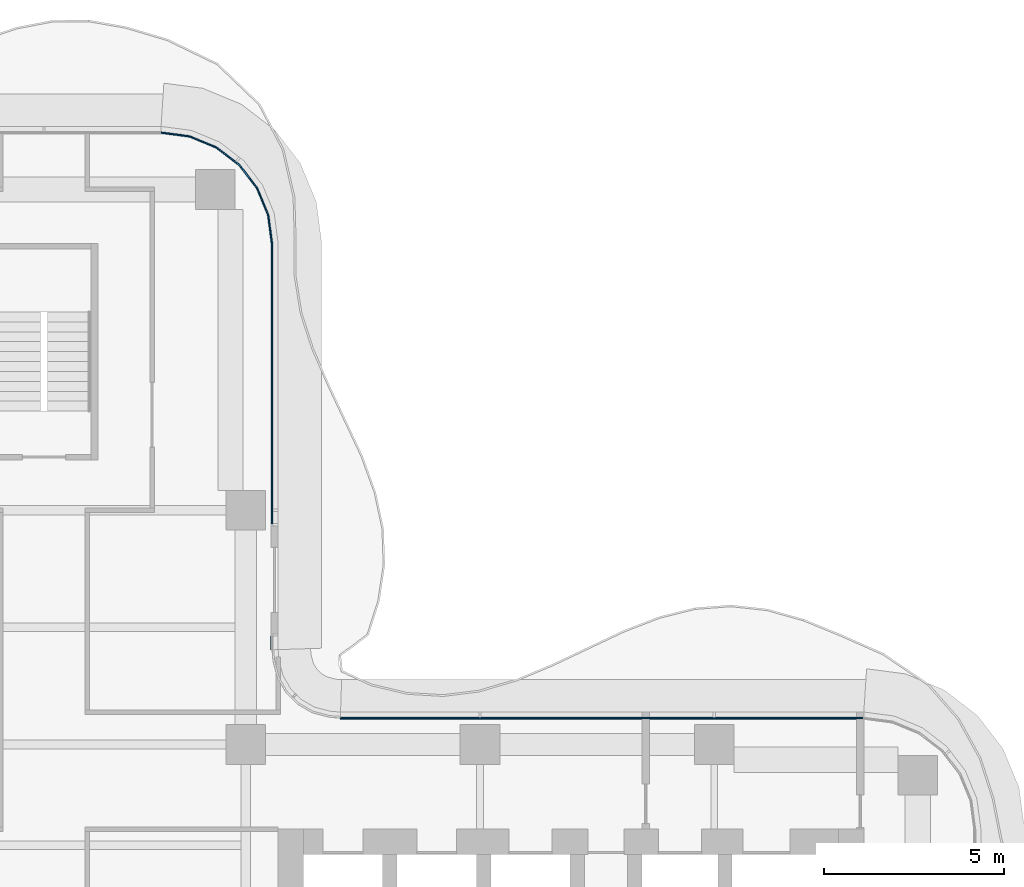
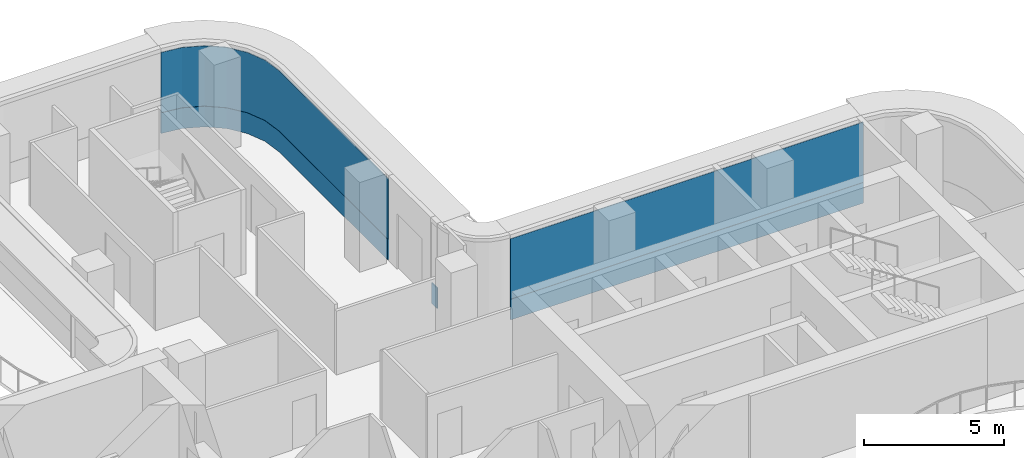
# One storey, part 13 of 19: 5 plates, 3 elements without a shape of their own.
"""IFC4 building model written with IfcOpenShell, lengths in metres."""

from ifc_helpers import new_model, si_unit, direction, frame, origin, place, context, subcontext, project, spatial, polyline, outline, extrude, source, transform, mapped, material, layer, layer_set, type_object, element, aggregate, save


model = new_model("IFC4")

# Units and contexts
model_context = context("Model", 3, precision=1e-05, world=origin(), true_north=direction((0.0, 1.0)))
body_context = subcontext(model_context, "Body", "Model", "MODEL_VIEW")
ifc_project = project(units=[si_unit("LENGTHUNIT", "METRE"), si_unit("AREAUNIT", "SQUARE_METRE"), si_unit("VOLUMEUNIT", "CUBIC_METRE"), si_unit("PLANEANGLEUNIT", "RADIAN"), si_unit("MASSUNIT", "GRAM", prefix="KILO")], contexts=[model_context])

# Site, building, storey
site_placement = place(None, origin())
site = spatial("IfcSite", under=ifc_project, at=site_placement, CompositionType="ELEMENT")
building_placement = place(site_placement, origin())
building = spatial("IfcBuilding", under=site, at=building_placement, Name="Trellis Farm Tower", CompositionType="ELEMENT")
storey_placement = place(building_placement, frame((0.0, 0.0, 228.5)))
storey = spatial("IfcBuildingStorey", under=building, at=storey_placement, Name="L50", CompositionType="ELEMENT", Elevation=228.5)

# Curtain wall, plates
ifc_material_1 = material(Name="Aluminium and glass curtain wall", Category="aluminium")
ifc_layer_1 = layer(ifc_material_1, 0.18994140625)
ifc_layer_set_1 = layer_set([ifc_layer_1], Name="RIBBON CURTAIN WALL CW1")
curtain_wall_type = type_object("IfcCurtainWallType", Name="RIBBON CURTAIN WALL CW1", PredefinedType="NOTDEFINED", material=ifc_layer_set_1)
placement_1 = place(storey_placement, origin())
curtain_wall_1 = element("IfcCurtainWall", 1, at=placement_1, inside=storey, type_object=curtain_wall_type, Name="CW1 007", PredefinedType="NOTDEFINED")
ifc_material_2 = material(Name="Clear insulated glass", Category="glass")
ifc_layer_2 = layer(ifc_material_2, 0.0400390625)
ifc_layer_set_2 = layer_set([ifc_layer_2], Name="CW1 GLASS PANEL 40")
plate_type_1 = type_object("IfcPlateType", Name="CW1 GLASS PANEL 40", PredefinedType="CURTAIN_PANEL", material=ifc_layer_set_2)
shared_shape_1 = source(origin(), body_context, "Body", "SweptSolid", [
    extrude(outline(polyline([(22.740234375, 6.35009765625), (8.2265625, 6.35009765625), (8.22509765625, 6.31005859375), (22.737548828125, 6.31005859375), (22.740234375, 6.35009765625)])), origin(), (0.0, 0.0, 1.0), 2.6201171875),
])
placement_2 = place(storey_placement, frame((0.0, 0.0, 0.89990234375)))
plate_1 = element("IfcPlate", 2, at=placement_2, type_object=plate_type_1, Name="PL1 007", PredefinedType="CURTAIN_PANEL", context=body_context, shape_type="MappedRepresentation", body=[
    mapped(shared_shape_1, transform((0.0, 0.0, 0.0))),
])
ifc_material_3 = material(Name="Sandstone faced insulated panel", Category="masonry")
ifc_layer_3 = layer(ifc_material_3, 0.050048828125)
ifc_layer_set_3 = layer_set([ifc_layer_3], Name="CW1 STONE SPANDREL PANEL 50")
plate_type_2 = type_object("IfcPlateType", Name="CW1 STONE SPANDREL PANEL 50", PredefinedType="CURTAIN_PANEL", material=ifc_layer_set_3)
shared_shape_2 = source(origin(), body_context, "Body", "SweptSolid", [
    extrude(outline(polyline([(22.740234375, 6.35009765625), (8.2265625, 6.35009765625), (8.224853515625, 6.300048828125), (22.73681640625, 6.300048828125), (22.740234375, 6.35009765625)])), origin(), (0.0, 0.0, 1.0), 0.89990234375),
])
plate_2 = element("IfcPlate", 3, at=placement_1, type_object=plate_type_2, Name="PS1 007", PredefinedType="CURTAIN_PANEL", context=body_context, shape_type="MappedRepresentation", body=[
    mapped(shared_shape_2, transform((0.0, 0.0, 0.0))),
])
aggregate(curtain_wall_1, [plate_1, plate_2])

# Curtain wall, plate
curtain_wall_2 = element("IfcCurtainWall", 4, at=placement_1, inside=storey, type_object=curtain_wall_type, Name="CW1 008", PredefinedType="NOTDEFINED")
shared_shape_3 = source(origin(), body_context, "Body", "SweptSolid", [
    extrude(outline(polyline([(6.35009765625, 8.2265625), (6.35009765625, 8.605712890625), (6.300048828125, 8.605712890625), (6.300048828125, 8.224853515625), (6.35009765625, 8.2265625)])), origin(), (0.0, 0.0, 1.0), 0.89990234375),
])
plate_3 = element("IfcPlate", 5, at=placement_1, type_object=plate_type_2, Name="PS1 008", PredefinedType="CURTAIN_PANEL", context=body_context, shape_type="MappedRepresentation", body=[
    mapped(shared_shape_3, transform((0.0, 0.0, 0.0))),
])
aggregate(curtain_wall_2, [plate_3])

# Curtain wall, plates
curtain_wall_3 = element("IfcCurtainWall", 6, at=placement_1, inside=storey, type_object=curtain_wall_type, Name="CW1 009", PredefinedType="NOTDEFINED")
shared_shape_4 = source(origin(), body_context, "Body", "SweptSolid", [
    extrude(outline(polyline([(6.35009765625, 11.7255859375), (6.35009765625, 19.490234375), (6.2431640625, 20.302001953125), (5.93359375, 21.04931640625), (5.441162109375, 21.691162109375), (4.79931640625, 22.18359375), (4.052001953125, 22.4931640625), (3.240234375, 22.60009765625), (3.237548828125, 22.56005859375), (4.04150390625, 22.4541015625), (4.779296875, 22.148681640625), (5.41259765625, 21.66259765625), (5.898681640625, 21.029296875), (6.2041015625, 20.29150390625), (6.31005859375, 19.487548828125), (6.31005859375, 11.7255859375), (6.35009765625, 11.7255859375)])), origin(), (0.0, 0.0, 1.0), 2.6201171875),
])
plate_4 = element("IfcPlate", 7, at=placement_2, type_object=plate_type_1, Name="PL1 009", PredefinedType="CURTAIN_PANEL", context=body_context, shape_type="MappedRepresentation", body=[
    mapped(shared_shape_4, transform((0.0, 0.0, 0.0))),
])
shared_shape_5 = source(origin(), body_context, "Body", "SweptSolid", [
    extrude(outline(polyline([(6.35009765625, 11.7255859375), (6.35009765625, 19.490234375), (6.2431640625, 20.302001953125), (5.93359375, 21.04931640625), (5.441162109375, 21.691162109375), (4.79931640625, 22.18359375), (4.052001953125, 22.4931640625), (3.240234375, 22.60009765625), (3.23681640625, 22.550048828125), (4.0390625, 22.4443359375), (4.774169921875, 22.139892578125), (5.405517578125, 21.655517578125), (5.889892578125, 21.024169921875), (6.1943359375, 20.2890625), (6.300048828125, 19.48681640625), (6.300048828125, 11.7255859375), (6.35009765625, 11.7255859375)])), origin(), (0.0, 0.0, 1.0), 0.89990234375),
])
plate_5 = element("IfcPlate", 8, at=placement_1, type_object=plate_type_2, Name="PS1 009", PredefinedType="CURTAIN_PANEL", context=body_context, shape_type="MappedRepresentation", body=[
    mapped(shared_shape_5, transform((0.0, 0.0, 0.0))),
])
aggregate(curtain_wall_3, [plate_4, plate_5])

save(model, "model.ifc")
